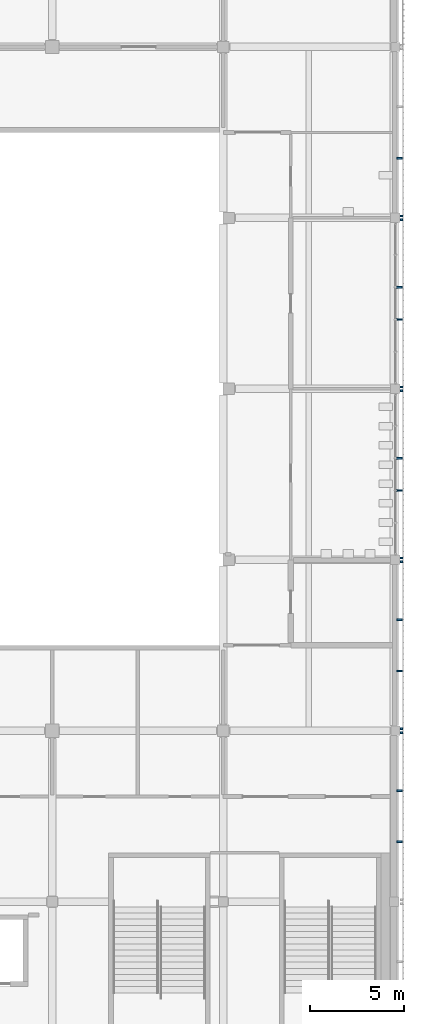
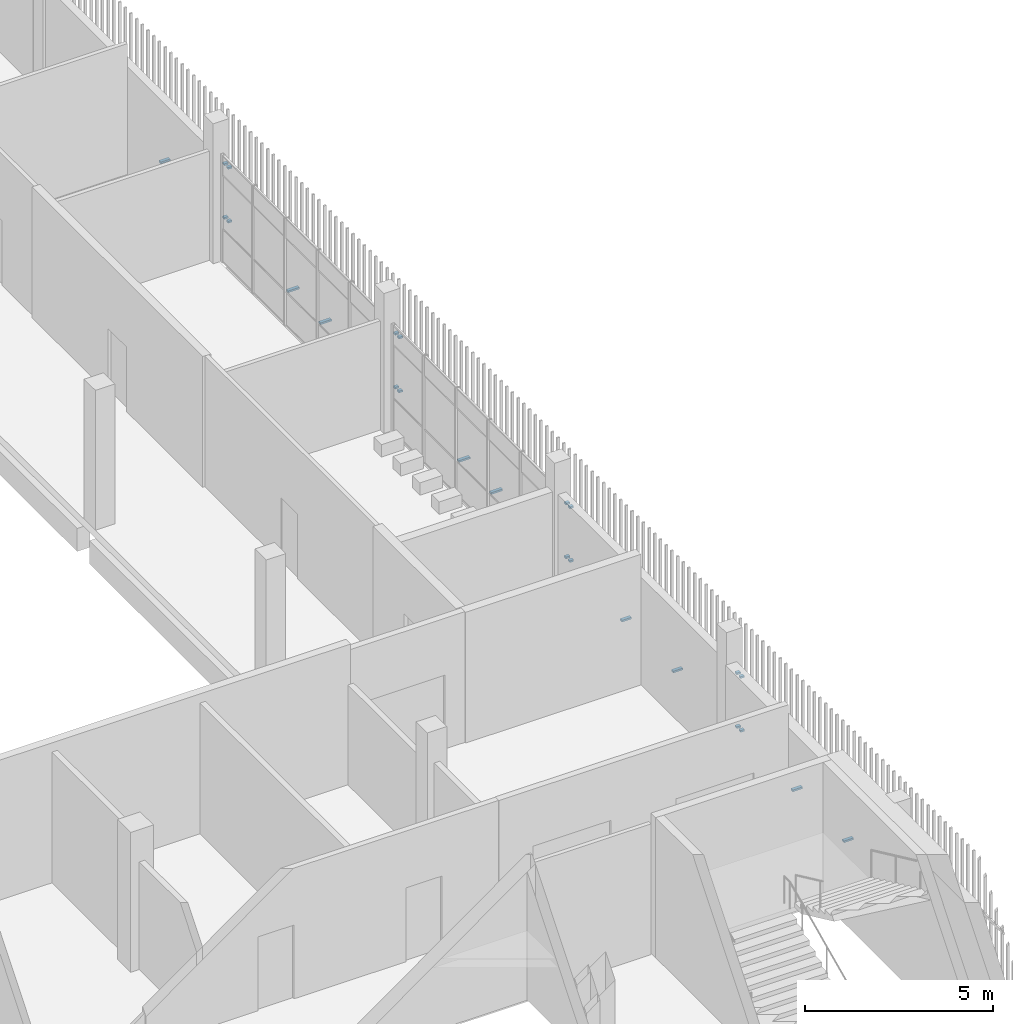
# One storey, part 100 of 124: 25 discrete accessories.
"""IFC4 building model written with IfcOpenShell, lengths in metres."""

from ifc_helpers import new_model, si_unit, direction, frame, origin, origin_2d, place, context, subcontext, project, spatial, rectangle, extrude, material, type_object, element, save


model = new_model("IFC4")

# Units and contexts
model_context = context("Model", 3, precision=1e-05, world=origin(), true_north=direction((0.0, 1.0)))
body_context = subcontext(model_context, "Body", "Model", "MODEL_VIEW")
ifc_project = project(units=[si_unit("LENGTHUNIT", "METRE"), si_unit("AREAUNIT", "SQUARE_METRE"), si_unit("VOLUMEUNIT", "CUBIC_METRE"), si_unit("PLANEANGLEUNIT", "RADIAN"), si_unit("MASSUNIT", "GRAM", prefix="KILO")], contexts=[model_context])

# Site, building, storey
site_placement = place(None, origin())
site = spatial("IfcSite", under=ifc_project, at=site_placement, CompositionType="ELEMENT")
building_placement = place(site_placement, origin())
building = spatial("IfcBuilding", under=site, at=building_placement, Name="Shirokan Park Arena", CompositionType="ELEMENT")
storey_placement = place(building_placement, frame((0.0, 0.0, 20.02001953125)))
storey = spatial("IfcBuildingStorey", under=building, at=storey_placement, Name="L04", CompositionType="ELEMENT", Elevation=20.02001953125)

# Discrete accessories
ifc_material = material(Name="Steel S355", Category="steel")
discrete_accessory_type = type_object("IfcDiscreteAccessoryType", Name="Veil bracket 100x60", PredefinedType="BRACKET", material=ifc_material)
for number, where, z_axis, x_axis, name in (
    (1, (145.985107421875, 36.300048828125, 1.070068359375), (0.0, 0.0, 1.0), (0.0, 1.0, 0.0), "Veil bracket east bay 4 L04 2"),
    (2, (145.985107421875, 36.300048828125, 2.820068359375), (0.0, 0.0, 1.0), (0.0, 1.0, 0.0), "Veil bracket east bay 4 L04 4"),
):
    element("IfcDiscreteAccessory", number, at=place(storey_placement, frame(where, z_axis=z_axis, x_axis=x_axis)), inside=storey, type_object=discrete_accessory_type, Name=name, PredefinedType="BRACKET", context=body_context, shape_type="SweptSolid", body=[
        extrude(rectangle(XDim=0.10009765625, YDim=0.1201171875, at=origin_2d()), origin(), (0.0, 0.0, 1.0), 0.06005859375),
    ])
for number, where, z_axis, x_axis, name in (
    (3, (145.8974609375, 30.485107421875, 1.070068359375), (0.0, 0.0, 1.0), (0.0, 1.0, 0.0), "Veil bracket east bay 4 L04 wall 1"),
    (4, (145.8974609375, 33.215087890625, 1.070068359375), (0.0, 0.0, 1.0), (0.0, 1.0, 0.0), "Veil bracket east bay 4 L04 wall 2"),
):
    element("IfcDiscreteAccessory", number, at=place(storey_placement, frame(where, z_axis=z_axis, x_axis=x_axis)), inside=storey, type_object=discrete_accessory_type, Name=name, PredefinedType="BRACKET", context=body_context, shape_type="SweptSolid", body=[
        extrude(rectangle(XDim=0.10009765625, YDim=0.294921875, at=origin_2d()), origin(), (0.0, 0.0, 1.0), 0.06005859375),
    ])
for number, where, z_axis, x_axis, name in (
    (5, (145.985107421875, 36.5, 1.070068359375), (0.0, 0.0, 1.0), (0.0, 1.0, 0.0), "Veil bracket east bay 5 L04 1"),
    (6, (145.985107421875, 45.39990234375, 1.070068359375), (0.0, 0.0, 1.0), (0.0, 1.0, 0.0), "Veil bracket east bay 5 L04 2"),
    (7, (145.985107421875, 36.5, 2.820068359375), (0.0, 0.0, 1.0), (0.0, 1.0, 0.0), "Veil bracket east bay 5 L04 3"),
    (8, (145.985107421875, 45.39990234375, 2.820068359375), (0.0, 0.0, 1.0), (0.0, 1.0, 0.0), "Veil bracket east bay 5 L04 4"),
):
    element("IfcDiscreteAccessory", number, at=place(storey_placement, frame(where, z_axis=z_axis, x_axis=x_axis)), inside=storey, type_object=discrete_accessory_type, Name=name, PredefinedType="BRACKET", context=body_context, shape_type="SweptSolid", body=[
        extrude(rectangle(XDim=0.10009765625, YDim=0.1201171875, at=origin_2d()), origin(), (0.0, 0.0, 1.0), 0.06005859375),
    ])
for number, where, z_axis, x_axis, name in (
    (9, (145.8974609375, 39.5849609375, 1.070068359375), (0.0, 0.0, 1.0), (0.0, 1.0, 0.0), "Veil bracket east bay 5 L04 wall 1"),
    (10, (145.8974609375, 42.31494140625, 1.070068359375), (0.0, 0.0, 1.0), (0.0, 1.0, 0.0), "Veil bracket east bay 5 L04 wall 2"),
):
    element("IfcDiscreteAccessory", number, at=place(storey_placement, frame(where, z_axis=z_axis, x_axis=x_axis)), inside=storey, type_object=discrete_accessory_type, Name=name, PredefinedType="BRACKET", context=body_context, shape_type="SweptSolid", body=[
        extrude(rectangle(XDim=0.10009765625, YDim=0.294921875, at=origin_2d()), origin(), (0.0, 0.0, 1.0), 0.06005859375),
    ])
for number, where, z_axis, x_axis, name in (
    (11, (145.985107421875, 45.60009765625, 1.070068359375), (0.0, 0.0, 1.0), (0.0, 1.0, 0.0), "Veil bracket east bay 6 L04 1"),
    (12, (145.985107421875, 54.5, 1.070068359375), (0.0, 0.0, 1.0), (0.0, 1.0, 0.0), "Veil bracket east bay 6 L04 2"),
    (13, (145.985107421875, 45.60009765625, 2.820068359375), (0.0, 0.0, 1.0), (0.0, 1.0, 0.0), "Veil bracket east bay 6 L04 3"),
    (14, (145.985107421875, 54.5, 2.820068359375), (0.0, 0.0, 1.0), (0.0, 1.0, 0.0), "Veil bracket east bay 6 L04 4"),
):
    element("IfcDiscreteAccessory", number, at=place(storey_placement, frame(where, z_axis=z_axis, x_axis=x_axis)), inside=storey, type_object=discrete_accessory_type, Name=name, PredefinedType="BRACKET", context=body_context, shape_type="SweptSolid", body=[
        extrude(rectangle(XDim=0.10009765625, YDim=0.1201171875, at=origin_2d()), origin(), (0.0, 0.0, 1.0), 0.06005859375),
    ])
for number, where, z_axis, x_axis, name in (
    (15, (145.87255859375, 49.18994140625, 1.070068359375), (0.0, 0.0, 1.0), (0.0, 1.0, 0.0), "Veil bracket east bay 6 L04 wall 1"),
    (16, (145.87255859375, 50.909912109375, 1.070068359375), (0.0, 0.0, 1.0), (0.0, 1.0, 0.0), "Veil bracket east bay 6 L04 wall 2"),
):
    element("IfcDiscreteAccessory", number, at=place(storey_placement, frame(where, z_axis=z_axis, x_axis=x_axis)), inside=storey, type_object=discrete_accessory_type, Name=name, PredefinedType="BRACKET", context=body_context, shape_type="SweptSolid", body=[
        extrude(rectangle(XDim=0.10009765625, YDim=0.344970703125, at=origin_2d()), origin(), (0.0, 0.0, 1.0), 0.06005859375),
    ])
for number, where, z_axis, x_axis, name in (
    (17, (145.985107421875, 54.699951171875, 1.070068359375), (0.0, 0.0, 1.0), (0.0, 1.0, 0.0), "Veil bracket east bay 7 L04 1"),
    (18, (145.985107421875, 63.60009765625, 1.070068359375), (0.0, 0.0, 1.0), (0.0, 1.0, 0.0), "Veil bracket east bay 7 L04 2"),
    (19, (145.985107421875, 54.699951171875, 2.820068359375), (0.0, 0.0, 1.0), (0.0, 1.0, 0.0), "Veil bracket east bay 7 L04 3"),
    (20, (145.985107421875, 63.60009765625, 2.820068359375), (0.0, 0.0, 1.0), (0.0, 1.0, 0.0), "Veil bracket east bay 7 L04 4"),
):
    element("IfcDiscreteAccessory", number, at=place(storey_placement, frame(where, z_axis=z_axis, x_axis=x_axis)), inside=storey, type_object=discrete_accessory_type, Name=name, PredefinedType="BRACKET", context=body_context, shape_type="SweptSolid", body=[
        extrude(rectangle(XDim=0.10009765625, YDim=0.1201171875, at=origin_2d()), origin(), (0.0, 0.0, 1.0), 0.06005859375),
    ])
for number, where, z_axis, x_axis, name in (
    (21, (145.87255859375, 58.2900390625, 1.070068359375), (0.0, 0.0, 1.0), (0.0, 1.0, 0.0), "Veil bracket east bay 7 L04 wall 1"),
    (22, (145.87255859375, 60.010009765625, 1.070068359375), (0.0, 0.0, 1.0), (0.0, 1.0, 0.0), "Veil bracket east bay 7 L04 wall 2"),
):
    element("IfcDiscreteAccessory", number, at=place(storey_placement, frame(where, z_axis=z_axis, x_axis=x_axis)), inside=storey, type_object=discrete_accessory_type, Name=name, PredefinedType="BRACKET", context=body_context, shape_type="SweptSolid", body=[
        extrude(rectangle(XDim=0.10009765625, YDim=0.344970703125, at=origin_2d()), origin(), (0.0, 0.0, 1.0), 0.06005859375),
    ])
for number, where, z_axis, x_axis, name in (
    (23, (145.985107421875, 63.800048828125, 1.070068359375), (0.0, 0.0, 1.0), (0.0, 1.0, 0.0), "Veil bracket east bay 8 L04 1"),
    (24, (145.985107421875, 63.800048828125, 2.820068359375), (0.0, 0.0, 1.0), (0.0, 1.0, 0.0), "Veil bracket east bay 8 L04 3"),
):
    element("IfcDiscreteAccessory", number, at=place(storey_placement, frame(where, z_axis=z_axis, x_axis=x_axis)), inside=storey, type_object=discrete_accessory_type, Name=name, PredefinedType="BRACKET", context=body_context, shape_type="SweptSolid", body=[
        extrude(rectangle(XDim=0.10009765625, YDim=0.1201171875, at=origin_2d()), origin(), (0.0, 0.0, 1.0), 0.06005859375),
    ])
discrete_accessory_placement = place(storey_placement, frame((145.8974609375, 66.885009765625, 1.070068359375), z_axis=(0.0, 0.0, 1.0), x_axis=(0.0, 1.0, 0.0)))
element("IfcDiscreteAccessory", 25, at=discrete_accessory_placement, inside=storey, type_object=discrete_accessory_type, Name="Veil bracket east bay 8 L04 wall 1", PredefinedType="BRACKET", context=body_context, shape_type="SweptSolid", body=[
    extrude(rectangle(XDim=0.10009765625, YDim=0.294921875, at=origin_2d()), origin(), (0.0, 0.0, 1.0), 0.06005859375),
])

save(model, "model.ifc")
